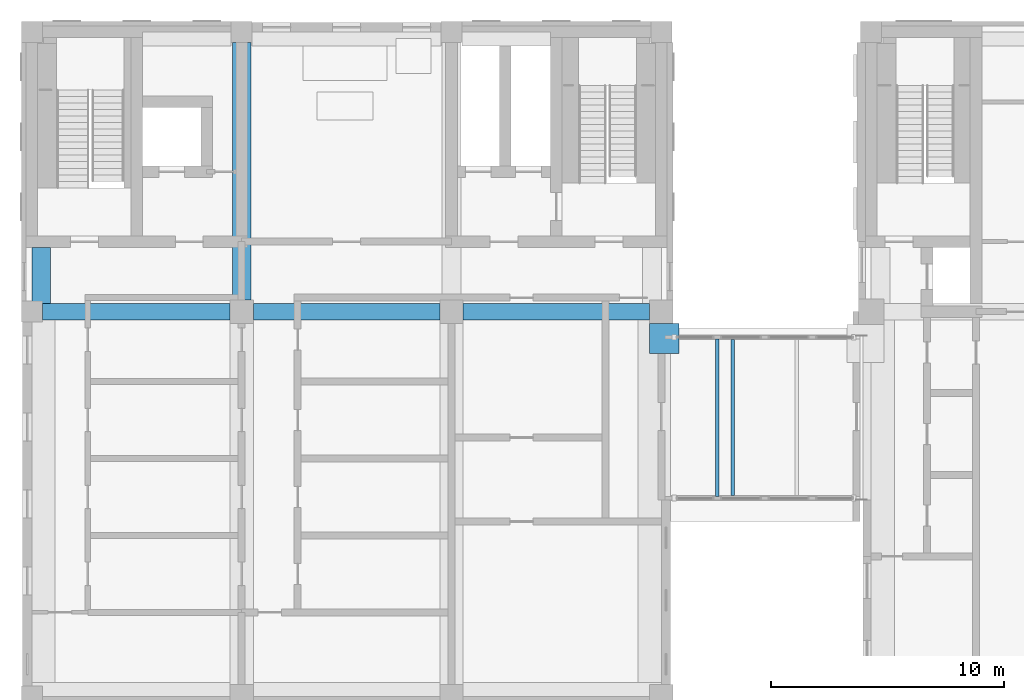
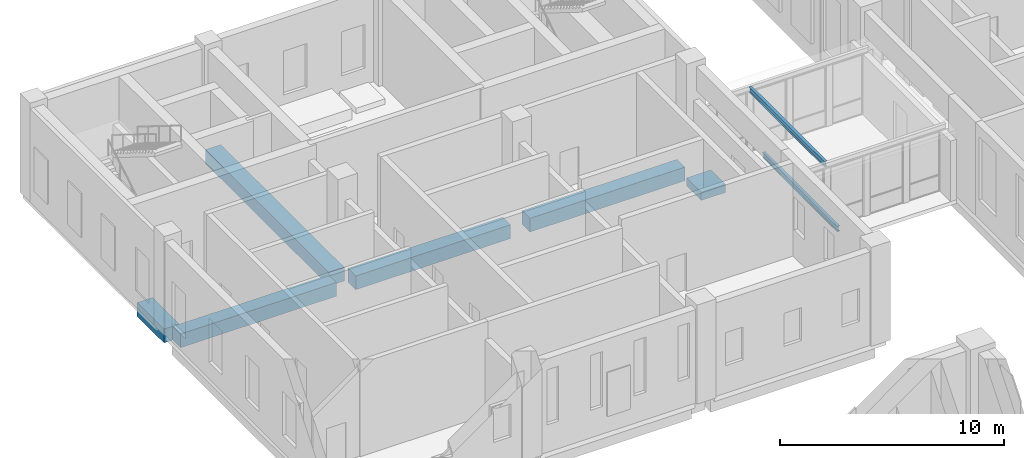
# One storey, part 11 of 52: 7 beams, 1 member.
"""IFC4 building model written with IfcOpenShell, lengths in metres."""

from ifc_helpers import new_model, si_unit, direction, frame, origin, origin_2d, place, context, subcontext, project, spatial, rectangle, i_section, extrude, material, material_profile, profile_set, type_object, element, save


model = new_model("IFC4")

# Units and contexts
model_context = context("Model", 3, precision=1e-05, world=origin(), true_north=direction((0.0, 1.0)))
body_context = subcontext(model_context, "Body", "Model", "MODEL_VIEW")
ifc_project = project(units=[si_unit("LENGTHUNIT", "METRE"), si_unit("AREAUNIT", "SQUARE_METRE"), si_unit("VOLUMEUNIT", "CUBIC_METRE"), si_unit("PLANEANGLEUNIT", "RADIAN"), si_unit("MASSUNIT", "GRAM", prefix="KILO")], contexts=[model_context])

# Site, building, storey
site_placement = place(None, origin())
site = spatial("IfcSite", under=ifc_project, at=site_placement, CompositionType="ELEMENT")
building_placement = place(site_placement, origin())
building = spatial("IfcBuilding", under=site, at=building_placement, Name="Aurelan Courthouse", CompositionType="ELEMENT")
storey_placement = place(building_placement, frame((0.0, 0.0, 6.60009765625)))
storey = spatial("IfcBuildingStorey", under=building, at=storey_placement, Name="L01", CompositionType="ELEMENT", Elevation=6.60009765625)

# Beam
ifc_material_1 = material(Name="Steel S355", Category="steel")
ifc_material_profile_1 = material_profile(ifc_material_1, i_section(OverallWidth=0.14990234375, OverallDepth=0.300048828125, WebThickness=0.007080078125, FlangeThickness=0.0107421875, FilletRadius=0.014892578125, at=origin_2d()), Name="IPE 300")
ifc_profile_set_1 = profile_set([ifc_material_profile_1], Name="Steel S355")
beam_type_1 = type_object("IfcBeamType", Name="Bridge cross beam IPE 300", PredefinedType="BEAM", material=ifc_profile_set_1)
beam_1_placement = place(storey_placement, frame((30.074951171875, 46.10498046875, -0.35009765625), z_axis=(0.0, 1.0, 0.0), x_axis=(-1.0, 0.0, 0.0)))
element("IfcBeam", 1, at=beam_1_placement, inside=storey, type_object=beam_type_1, Name="Bridge cross beam BX-7", PredefinedType="BEAM", context=body_context, shape_type="SweptSolid", body=[
    extrude(i_section(OverallWidth=0.14990234375, OverallDepth=0.300048828125, WebThickness=0.007080078125, FlangeThickness=0.0107421875, FilletRadius=0.014892578125, at=origin_2d()), origin(), (0.0, 0.0, 1.0), 6.68994140625),
])

# Member
ifc_material_2 = material(Name="Concrete C50", Category="concrete")
member_type = type_object("IfcMemberType", Name="Corbel 1250 x 1300 x 450", PredefinedType="USERDEFINED", material=ifc_material_2)
member_placement = place(storey_placement, frame((27.125, 52.85009765625, -1.25), z_axis=(0.0, 0.0, 1.0), x_axis=(1.0, 0.0, 0.0)))
element("IfcMember", 2, at=member_placement, inside=storey, type_object=member_type, Name="Corbel CO-15", ObjectType="CORBEL", PredefinedType="USERDEFINED", context=body_context, shape_type="SweptSolid", body=[
    extrude(rectangle(XDim=1.25, YDim=1.300048828125, at=origin_2d()), origin(), (0.0, 0.0, 1.0), 0.449951171875),
])

# Beams
ifc_material_profile_2 = material_profile(ifc_material_2, rectangle(XDim=0.699951171875, YDim=0.75, at=origin_2d()), Name="RC 700 x 750")
ifc_profile_set_2 = profile_set([ifc_material_profile_2], Name="Concrete C50")
beam_type_2 = type_object("IfcBeamType", Name="PT beam 700 x 750", PredefinedType="BEAM", material=ifc_profile_set_2)
beam_2_placement = place(storey_placement, frame((0.449951171875, 54.0, -0.675048828125), z_axis=(1.0, 0.0, 0.0), x_axis=(0.0, 1.0, 0.0)))
element("IfcBeam", 3, at=beam_2_placement, inside=storey, type_object=beam_type_2, Name="Beam EB-E-1-2", PredefinedType="BEAM", context=body_context, shape_type="SweptSolid", body=[
    extrude(rectangle(XDim=0.699951171875, YDim=0.75, at=origin_2d()), origin(), (0.0, 0.0, 1.0), 8.050048828125),
])
for number, where, z_axis, x_axis, name in (
    (4, (9.5, 54.0, -0.675048828125), (1.0, 0.0, 0.0), (0.0, 1.0, 0.0), "Beam EB-E-2-3"),
    (5, (18.5, 54.0, -0.675048828125), (1.0, 0.0, 0.0), (0.0, 1.0, 0.0), "Beam EB-E-3-4"),
):
    element("IfcBeam", number, at=place(storey_placement, frame(where, z_axis=z_axis, x_axis=x_axis)), inside=storey, type_object=beam_type_2, Name=name, PredefinedType="BEAM", context=body_context, shape_type="SweptSolid", body=[
        extrude(rectangle(XDim=0.699951171875, YDim=0.75, at=origin_2d()), origin(), (0.0, 0.0, 1.0), 8.0),
    ])
ifc_material_profile_3 = material_profile(ifc_material_2, rectangle(XDim=0.800048828125, YDim=0.75, at=origin_2d()), Name="RC 800 x 750")
ifc_profile_set_3 = profile_set([ifc_material_profile_3], Name="Concrete C50")
beam_type_3 = type_object("IfcBeamType", Name="PT girder 800 x 750", PredefinedType="BEAM", material=ifc_profile_set_3)
beam_3_placement = place(storey_placement, frame((0.39990234375, 54.35009765625, -0.675048828125), z_axis=(0.0, 1.0, 0.0), x_axis=(-1.0, 0.0, 0.0)))
element("IfcBeam", 6, at=beam_3_placement, inside=storey, type_object=beam_type_3, Name="Girder GB-1EF-E", PredefinedType="BEAM", context=body_context, shape_type="SweptSolid", body=[
    extrude(rectangle(XDim=0.800048828125, YDim=0.75, at=origin_2d()), origin(), (0.0, 0.0, 1.0), 2.39990234375),
])
beam_4_placement = place(storey_placement, frame((9.0, 54.5, -0.675048828125), z_axis=(0.0, 1.0, 0.0), x_axis=(-1.0, 0.0, 0.0)))
element("IfcBeam", 7, at=beam_4_placement, inside=storey, type_object=beam_type_3, Name="Girder GB-2EF", PredefinedType="BEAM", context=body_context, shape_type="SweptSolid", body=[
    extrude(rectangle(XDim=0.800048828125, YDim=0.75, at=origin_2d()), origin(), (0.0, 0.0, 1.0), 11.050048828125),
])
ifc_material_profile_4 = material_profile(ifc_material_1, i_section(OverallWidth=0.14990234375, OverallDepth=0.300048828125, WebThickness=0.007080078125, FlangeThickness=0.0107421875, FilletRadius=0.014892578125, at=origin_2d()), Name="IPE 300")
ifc_profile_set_4 = profile_set([ifc_material_profile_4], Name="Steel S355")
beam_type_4 = type_object("IfcBeamType", Name="Passage cross beam IPE 300", PredefinedType="BEAM", material=ifc_profile_set_4)
beam_5_placement = place(storey_placement, frame((29.393798828125, 46.074951171875, 3.449951171875), z_axis=(0.0, 1.0, 0.0), x_axis=(-1.0, 0.0, 0.0)))
element("IfcBeam", 8, at=beam_5_placement, inside=storey, type_object=beam_type_4, Name="Passage cross beam BR4-BX", PredefinedType="BEAM", context=body_context, shape_type="SweptSolid", body=[
    extrude(i_section(OverallWidth=0.14990234375, OverallDepth=0.300048828125, WebThickness=0.007080078125, FlangeThickness=0.0107421875, FilletRadius=0.014892578125, at=origin_2d()), origin(), (0.0, 0.0, 1.0), 6.75),
])

save(model, "model.ifc")
